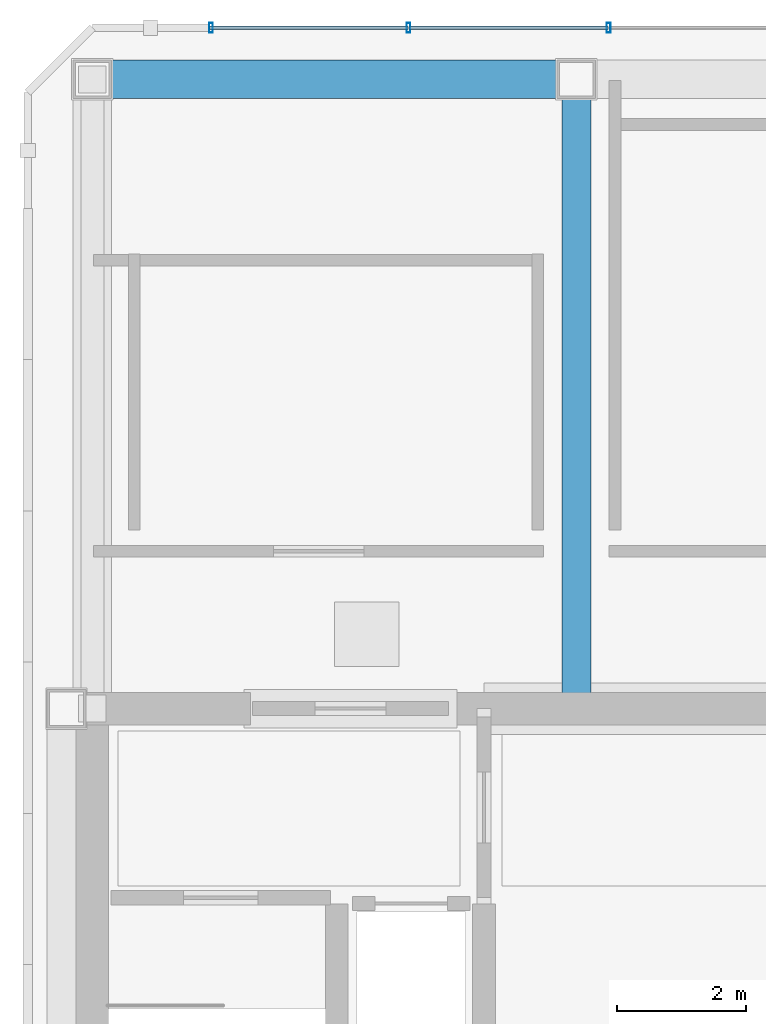
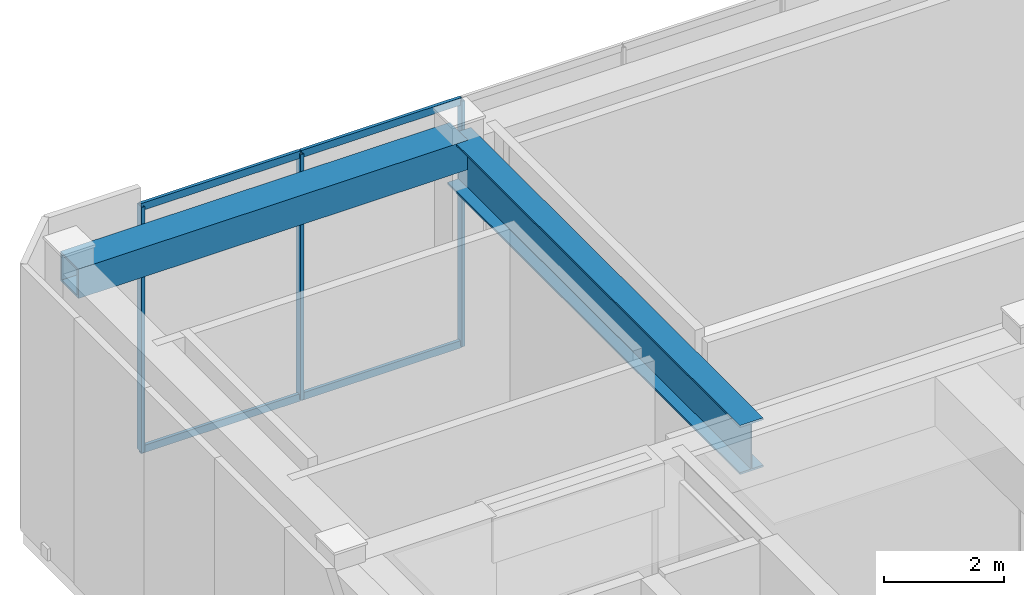
# One storey, part 2 of 9: 7 members, 2 beams, 1 element without a shape of its own.
"""IFC4 building model written with IfcOpenShell, lengths in metres."""

from ifc_helpers import new_model, si_unit, direction, frame, origin, origin_2d, place, context, subcontext, project, spatial, hollow_rectangle, i_section, extrude, material, material_profile, profile_set, type_object, element, aggregate, save


model = new_model("IFC4")

# Units and contexts
model_context = context("Model", 3, precision=1e-05, world=origin(), true_north=direction((0.0, 1.0)))
body_context = subcontext(model_context, "Body", "Model", "MODEL_VIEW")
ifc_project = project(units=[si_unit("LENGTHUNIT", "METRE"), si_unit("AREAUNIT", "SQUARE_METRE"), si_unit("VOLUMEUNIT", "CUBIC_METRE"), si_unit("PLANEANGLEUNIT", "RADIAN"), si_unit("MASSUNIT", "GRAM", prefix="KILO")], contexts=[model_context])

# Site, building, storey
site_placement = place(None, origin())
site = spatial("IfcSite", under=ifc_project, at=site_placement, CompositionType="ELEMENT")
building_placement = place(site_placement, origin())
building = spatial("IfcBuilding", under=site, at=building_placement, Name="Ventersveld Concourse Tower", CompositionType="ELEMENT")
storey_placement = place(building_placement, frame((0.0, 0.0, 388.25)))
storey = spatial("IfcBuildingStorey", under=building, at=storey_placement, Name="L94", CompositionType="ELEMENT", Elevation=388.25)

# Curtain wall, members
ifc_material_1 = material(Name="Anodised aluminium EN AW-6063-T6", Category="aluminium")
curtain_wall_type = type_object("IfcCurtainWallType", Name="CW-CRN-6", PredefinedType="NOTDEFINED", material=ifc_material_1)
curtain_wall_placement = place(storey_placement, origin())
curtain_wall = element("IfcCurtainWall", 1, at=curtain_wall_placement, inside=storey, type_object=curtain_wall_type, Name="L94 L94 Crown North Glazed Curtain Wall 2", PredefinedType="NOTDEFINED")
ifc_material_profile_1 = material_profile(ifc_material_1, hollow_rectangle(XDim=0.06005859375, YDim=0.14990234375, WallThickness=0.00390625, at=origin_2d()), Name="ALU 150x60x4")
ifc_profile_set_1 = profile_set([ifc_material_profile_1], Name="Anodised aluminium EN AW-6063-T6")
member_type_1 = type_object("IfcMemberType", Name="CWM-150x65", PredefinedType="MULLION", material=ifc_profile_set_1)
member_1_placement = place(storey_placement, frame((21.75, 22.0, 0.0), z_axis=(0.0, 0.0, 1.0), x_axis=(1.0, 0.0, 0.0)))
member_1 = element("IfcMember", 2, at=member_1_placement, type_object=member_type_1, Name="CW-L94-N2 Mullion 03", PredefinedType="MULLION", context=body_context, shape_type="SweptSolid", body=[
    extrude(hollow_rectangle(XDim=0.06005859375, YDim=0.14990234375, WallThickness=0.00390625, at=origin_2d()), origin(), (0.0, 0.0, 1.0), 5.0),
])
member_2_placement = place(storey_placement, frame((18.64990234375, 22.0, 0.0), z_axis=(0.0, 0.0, 1.0), x_axis=(1.0, 0.0, 0.0)))
member_2 = element("IfcMember", 3, at=member_2_placement, type_object=member_type_1, Name="CW-L94-N2 Mullion 04", PredefinedType="MULLION", context=body_context, shape_type="SweptSolid", body=[
    extrude(hollow_rectangle(XDim=0.06005859375, YDim=0.14990234375, WallThickness=0.00390625, at=origin_2d()), origin(), (0.0, 0.0, 1.0), 5.0),
])
member_3_placement = place(storey_placement, frame((15.590087890625, 22.0, 0.0), z_axis=(0.0, 0.0, 1.0), x_axis=(1.0, 0.0, 0.0)))
member_3 = element("IfcMember", 4, at=member_3_placement, type_object=member_type_1, Name="CW-L94-N2 Mullion 05", PredefinedType="MULLION", context=body_context, shape_type="SweptSolid", body=[
    extrude(hollow_rectangle(XDim=0.06005859375, YDim=0.14990234375, WallThickness=0.00390625, at=origin_2d()), origin(), (0.0, 0.0, 1.0), 5.0),
])
ifc_material_profile_2 = material_profile(ifc_material_1, hollow_rectangle(XDim=0.06005859375, YDim=0.14990234375, WallThickness=0.00390625, at=origin_2d()), Name="ALU 150x60x4")
ifc_profile_set_2 = profile_set([ifc_material_profile_2], Name="Anodised aluminium EN AW-6063-T6")
member_type_2 = type_object("IfcMemberType", Name="CWT-150x60", PredefinedType="USERDEFINED", material=ifc_profile_set_2)
member_4_placement = place(storey_placement, frame((21.739990234375, 22.0, 0.030029296875), z_axis=(-1.0, 0.0, 0.0), x_axis=(0.0, -1.0, 0.0)))
member_4 = element("IfcMember", 5, at=member_4_placement, type_object=member_type_2, Name="CW-L94-N2 Transom 1-03", ObjectType="TRANSOM", PredefinedType="USERDEFINED", context=body_context, shape_type="SweptSolid", body=[
    extrude(hollow_rectangle(XDim=0.06005859375, YDim=0.14990234375, WallThickness=0.00390625, at=origin_2d()), origin(), (0.0, 0.0, 1.0), 3.080078125),
])
member_5_placement = place(storey_placement, frame((18.639892578125, 22.0, 0.030029296875), z_axis=(-1.0, 0.0, 0.0), x_axis=(0.0, -1.0, 0.0)))
member_5 = element("IfcMember", 6, at=member_5_placement, type_object=member_type_2, Name="CW-L94-N2 Transom 1-04", ObjectType="TRANSOM", PredefinedType="USERDEFINED", context=body_context, shape_type="SweptSolid", body=[
    extrude(hollow_rectangle(XDim=0.06005859375, YDim=0.14990234375, WallThickness=0.00390625, at=origin_2d()), origin(), (0.0, 0.0, 1.0), 3.06982421875),
])
member_6_placement = place(storey_placement, frame((21.739990234375, 22.0, 4.969970703125), z_axis=(-1.0, 0.0, 0.0), x_axis=(0.0, -1.0, 0.0)))
member_6 = element("IfcMember", 7, at=member_6_placement, type_object=member_type_2, Name="CW-L94-N2 Transom 2-03", ObjectType="TRANSOM", PredefinedType="USERDEFINED", context=body_context, shape_type="SweptSolid", body=[
    extrude(hollow_rectangle(XDim=0.06005859375, YDim=0.14990234375, WallThickness=0.00390625, at=origin_2d()), origin(), (0.0, 0.0, 1.0), 3.080078125),
])
member_7_placement = place(storey_placement, frame((18.639892578125, 22.0, 4.969970703125), z_axis=(-1.0, 0.0, 0.0), x_axis=(0.0, -1.0, 0.0)))
member_7 = element("IfcMember", 8, at=member_7_placement, type_object=member_type_2, Name="CW-L94-N2 Transom 2-04", ObjectType="TRANSOM", PredefinedType="USERDEFINED", context=body_context, shape_type="SweptSolid", body=[
    extrude(hollow_rectangle(XDim=0.06005859375, YDim=0.14990234375, WallThickness=0.00390625, at=origin_2d()), origin(), (0.0, 0.0, 1.0), 3.06982421875),
])
aggregate(curtain_wall, [member_1, member_2, member_3, member_4, member_5, member_6, member_7])

# Beams
ifc_material_2 = material(Name="Structural steel S355ML", Category="steel")
ifc_material_profile_3 = material_profile(ifc_material_2, hollow_rectangle(XDim=0.60009765625, YDim=0.60009765625, WallThickness=0.0400390625, at=origin_2d()), Name="BOX 600x600x40")
ifc_profile_set_3 = profile_set([ifc_material_profile_3], Name="Structural steel S355ML")
beam_type_1 = type_object("IfcBeamType", Name="SPD-BOX600", PredefinedType="SPANDREL", material=ifc_profile_set_3)
beam_1_placement = place(storey_placement, frame((21.25, 21.199951171875, 4.699951171875), z_axis=(-1.0, 0.0, 0.0), x_axis=(0.0, -1.0, 0.0)))
element("IfcBeam", 9, at=beam_1_placement, inside=storey, type_object=beam_type_1, Name="L94 CROWN FRAME Perimeter Ring Beam 6", PredefinedType="SPANDREL", context=body_context, shape_type="SweptSolid", body=[
    extrude(hollow_rectangle(XDim=0.60009765625, YDim=0.60009765625, WallThickness=0.0400390625, at=origin_2d()), origin(), (0.0, 0.0, 1.0), 7.5),
])
ifc_material_3 = material(Name="Structural steel S460ML", Category="steel")
ifc_material_profile_4 = material_profile(ifc_material_3, i_section(OverallWidth=0.449951171875, OverallDepth=1.0, WebThickness=0.02392578125, FlangeThickness=0.0400390625, at=origin_2d()), Name="PG 1000x450x40")
ifc_profile_set_4 = profile_set([ifc_material_profile_4], Name="Structural steel S460ML")
beam_type_2 = type_object("IfcBeamType", Name="TG-PG1000", PredefinedType="USERDEFINED", material=ifc_profile_set_4)
beam_2_placement = place(storey_placement, frame((21.25, 11.449951171875, 4.5), z_axis=(0.0, 1.0, 0.0), x_axis=(-1.0, 0.0, 0.0)))
element("IfcBeam", 10, at=beam_2_placement, inside=storey, type_object=beam_type_2, Name="L94 Crown Interior Girder W", ObjectType="TRANSFER_GIRDER", PredefinedType="USERDEFINED", context=body_context, shape_type="SweptSolid", body=[
    extrude(i_section(OverallWidth=0.449951171875, OverallDepth=1.0, WebThickness=0.02392578125, FlangeThickness=0.0400390625, at=origin_2d()), origin(), (0.0, 0.0, 1.0), 9.75),
])

save(model, "model.ifc")
